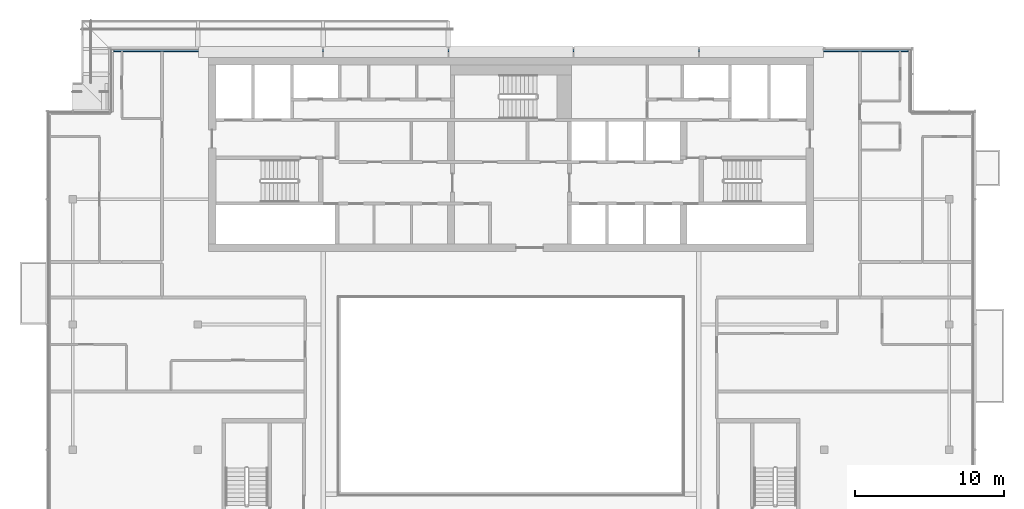
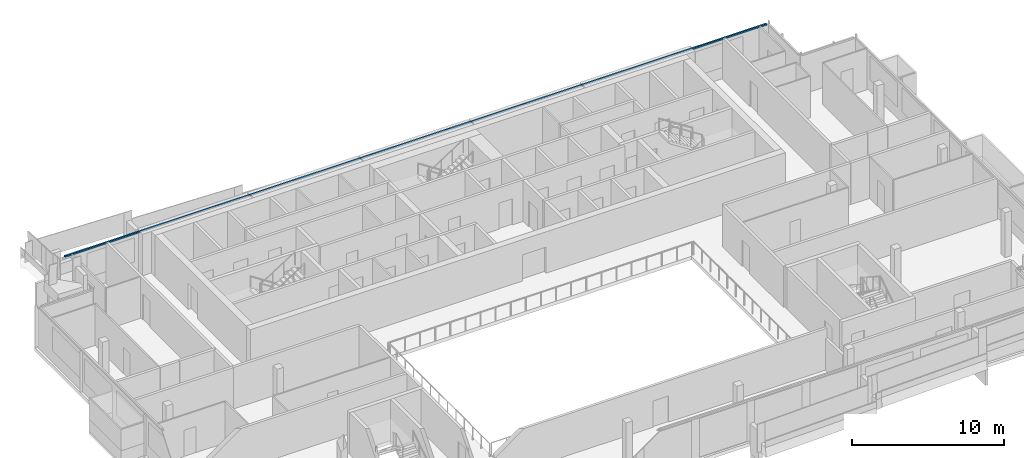
# One storey, part 7 of 21: 1 member, 1 element without a shape of its own.
"""IFC4 building model written with IfcOpenShell, lengths in metres."""

from ifc_helpers import new_model, si_unit, direction, frame, origin, origin_2d, place, context, subcontext, project, spatial, rectangle, extrude, material, material_profile, profile_set, type_object, element, aggregate, save


model = new_model("IFC4")

# Units and contexts
model_context = context("Model", 3, precision=1e-05, world=origin(), true_north=direction((0.0, 1.0)))
body_context = subcontext(model_context, "Body", "Model", "MODEL_VIEW")
ifc_project = project(units=[si_unit("LENGTHUNIT", "METRE"), si_unit("AREAUNIT", "SQUARE_METRE"), si_unit("VOLUMEUNIT", "CUBIC_METRE"), si_unit("PLANEANGLEUNIT", "RADIAN"), si_unit("MASSUNIT", "GRAM", prefix="KILO")], contexts=[model_context])

# Site, building, storey
site_placement = place(None, origin())
site = spatial("IfcSite", under=ifc_project, at=site_placement, CompositionType="ELEMENT")
building_placement = place(site_placement, origin())
building = spatial("IfcBuilding", under=site, at=building_placement, Name="Saffron Gate Tower", CompositionType="ELEMENT")
storey_placement = place(building_placement, frame((0.0, 0.0, 288.75)))
storey = spatial("IfcBuildingStorey", under=building, at=storey_placement, Name="L70", CompositionType="ELEMENT", Elevation=288.75)

# Curtain wall, member
ifc_material = material(Name="Aluminium, bronze anodised", Category="aluminium")
curtain_wall_type = type_object("IfcCurtainWallType", Name="CWS3 curtain wall rear facade", PredefinedType="NOTDEFINED", material=ifc_material)
curtain_wall_placement = place(storey_placement, origin())
curtain_wall = element("IfcCurtainWall", 1, at=curtain_wall_placement, inside=storey, type_object=curtain_wall_type, Name="CWS3 run 7", PredefinedType="NOTDEFINED")
ifc_material_profile = material_profile(ifc_material, rectangle(XDim=0.1201171875, YDim=0.1201171875, at=origin_2d()))
ifc_profile_set = profile_set([ifc_material_profile], Name="Aluminium, bronze anodised")
member_type = type_object("IfcMemberType", Name="CWS3 head transom", PredefinedType="USERDEFINED", material=ifc_profile_set)
member_placement = place(storey_placement, frame((114.23193359375, 75.35205078125, 3.260009765625), z_axis=(-1.0, 0.0, 0.0), x_axis=(0.0, -1.0, 0.0)))
member = element("IfcMember", 2, at=member_placement, type_object=member_type, Name="CWS3 head transom", ObjectType="TRANSOM", PredefinedType="USERDEFINED", context=body_context, shape_type="SweptSolid", body=[
    extrude(rectangle(XDim=0.1201171875, YDim=0.1201171875, at=origin_2d()), origin(), (0.0, 0.0, 1.0), 53.263916015625),
])
aggregate(curtain_wall, [member])

save(model, "model.ifc")
